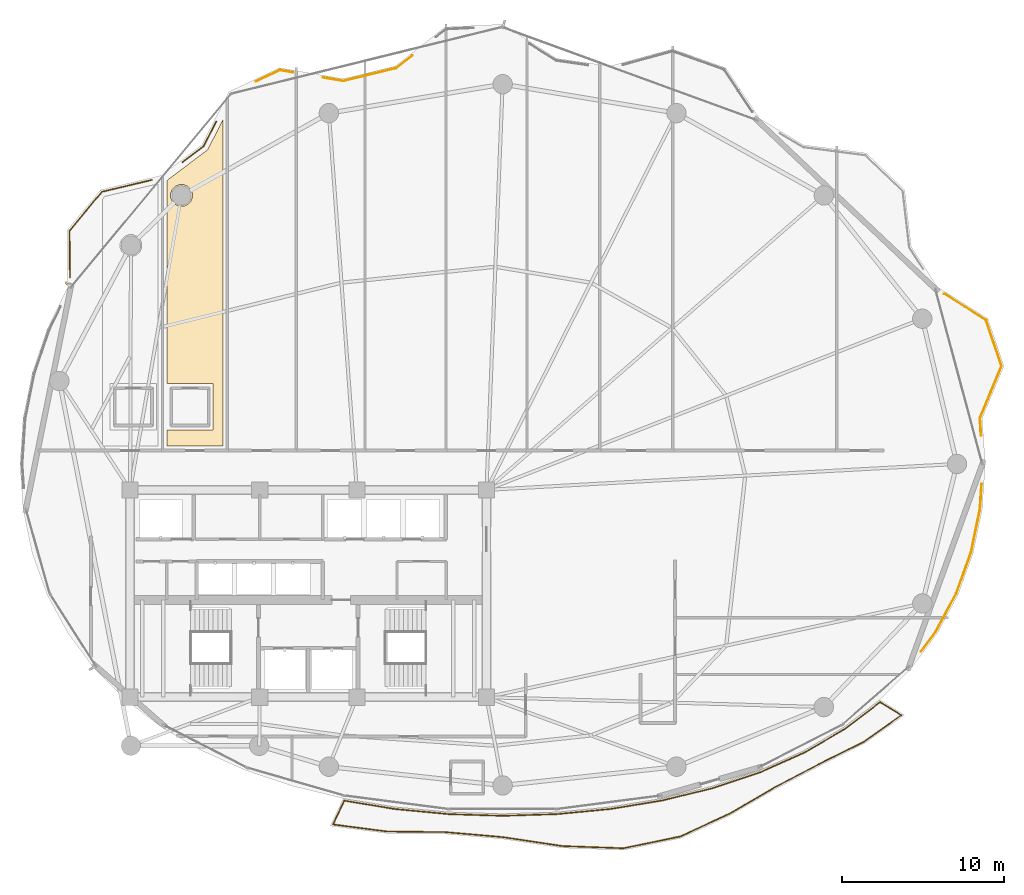
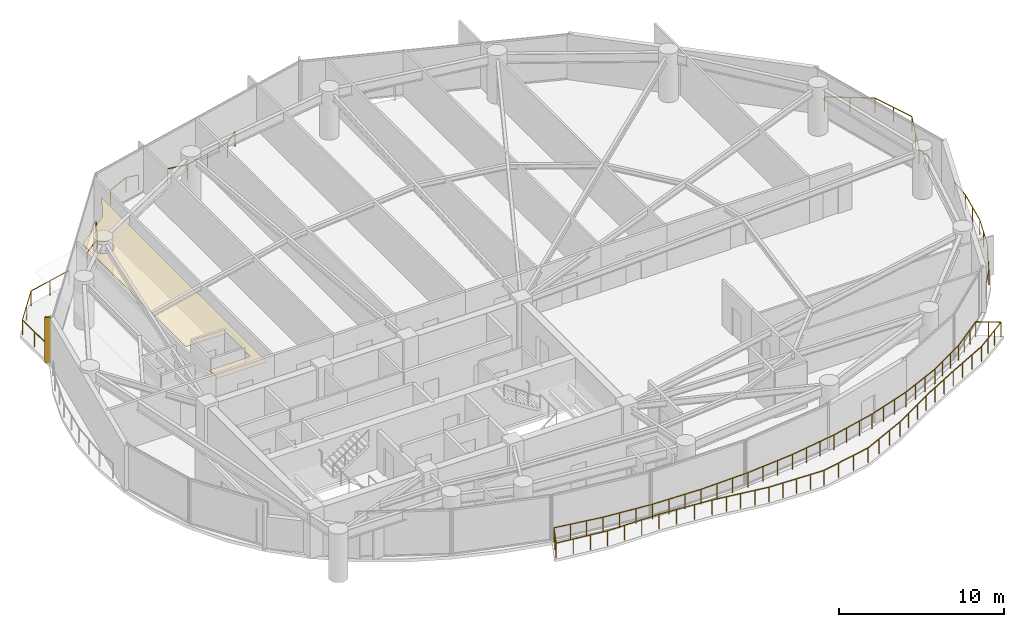
# One storey, part 27 of 28: 7 railings, 1 covering, 1 shading device.
"""IFC4 building model written with IfcOpenShell, lengths in metres."""

from ifc_helpers import new_model, si_unit, direction, frame, origin, origin_2d, place, context, subcontext, project, spatial, polyline, rectangle, outline, extrude, material, layer, layer_set, type_object, element, save


model = new_model("IFC4")

# Units and contexts
model_context = context("Model", 3, precision=1e-05, world=origin(), true_north=direction((0.0, 1.0)))
body_context = subcontext(model_context, "Body", "Model", "MODEL_VIEW")
ifc_project = project(units=[si_unit("LENGTHUNIT", "METRE"), si_unit("AREAUNIT", "SQUARE_METRE"), si_unit("VOLUMEUNIT", "CUBIC_METRE"), si_unit("PLANEANGLEUNIT", "RADIAN"), si_unit("MASSUNIT", "GRAM", prefix="KILO")], contexts=[model_context])

# Site, building, storey
site_placement = place(None, origin())
site = spatial("IfcSite", under=ifc_project, at=site_placement, CompositionType="ELEMENT")
building_placement = place(site_placement, origin())
building = spatial("IfcBuilding", under=site, at=building_placement, Name="Kazevale Care Tower and Concert Hall", CompositionType="ELEMENT")
storey_placement = place(building_placement, frame((0.0, 0.0, 106.199951171875)))
storey = spatial("IfcBuildingStorey", under=building, at=storey_placement, Name="L27", CompositionType="ELEMENT", Elevation=106.199951171875)

# Covering
ifc_material_1 = material(Name="Acoustic Plaster and Hinoki Wood", Category="wood")
ifc_layer = layer(ifc_material_1, 0.0400390625)
ifc_layer_set = layer_set([ifc_layer], Name="Acoustic Plaster and Hinoki Wood")
covering_type = type_object("IfcCoveringType", Name="Acoustic Perforated Wood-Gypsum Ceiling", PredefinedType="CEILING", material=ifc_layer_set)
covering_placement = place(storey_placement, frame((0.0, 0.0, 2.7099609375)))
element("IfcCovering", 1, at=covering_placement, inside=storey, type_object=covering_type, Name="clg:L27:2", PredefinedType="CEILING", context=body_context, shape_type="SweptSolid", body=[
    extrude(outline(polyline([(27.1298828125, 40.094970703125), (27.1298828125, 42.955078125), (24.280029296875, 42.955078125), (24.280029296875, 55.508056640625), (26.781005859375, 57.39892578125), (27.719970703125, 59.22607421875), (27.719970703125, 39.10498046875), (24.280029296875, 39.10498046875), (24.280029296875, 40.094970703125), (27.1298828125, 40.094970703125)]), holes=[polyline([(25.8369140625, 54.712890625), (25.735107421875, 54.9580078125), (25.548095703125, 55.14501953125), (25.302978515625, 55.2470703125), (25.037109375, 55.2470703125), (24.7919921875, 55.14501953125), (24.60498046875, 54.9580078125), (24.5029296875, 54.712890625), (24.5029296875, 54.447021484375), (24.60498046875, 54.201904296875), (24.7919921875, 54.014892578125), (25.037109375, 53.9130859375), (25.302978515625, 53.9130859375), (25.548095703125, 54.014892578125), (25.735107421875, 54.201904296875), (25.8369140625, 54.447021484375), (25.8369140625, 54.712890625)])]), origin(), (0.0, 0.0, 1.0), 0.0400390625),
])

# Railings
ifc_material_2 = material(Name="Anodised Bronze Aluminium and Laminated Glass", Category="aluminium")
railing_type = type_object("IfcRailingType", Name="Balcony and Terrace Balustrade 1120", PredefinedType="BALUSTRADE", material=ifc_material_2)
railing_1_placement = place(storey_placement, frame((18.284912109375, 49.514892578125, 0.0)))
element("IfcRailing", 2, at=railing_1_placement, inside=storey, type_object=railing_type, Name="rail:L27:perim:2", PredefinedType="BALUSTRADE", context=body_context, shape_type="SweptSolid", body=[
    extrude(rectangle(XDim=0.048095703125, YDim=0.048095703125, at=origin_2d()), frame((0.0, 0.0, 1.09619140625), z_axis=(-0.009663022595, 0.999953311907, 0.0), x_axis=(-0.999953311907, -0.009663022595, 0.0)), (0.0, 0.0, 1.0), 2.88037109375),
    extrude(rectangle(XDim=0.048095703125, YDim=0.048095703125, at=origin_2d()), frame((-0.02783203125, 2.880126953125, 1.09619140625), z_axis=(0.638670809668, 0.769480082184, 0.0), x_axis=(-0.769480082184, 0.638670809668, 0.0)), (0.0, 0.0, 1.0), 3.128173828125),
    extrude(rectangle(XDim=0.048095703125, YDim=0.048095703125, at=origin_2d()), frame((1.969970703125, 5.287109375, 1.09619140625), z_axis=(0.972887880692, 0.231277261318, 0.0), x_axis=(-0.231277261318, 0.972887880692, 0.0)), (0.0, 0.0, 1.0), 3.173095703125),
    extrude(rectangle(XDim=0.0419921875, YDim=0.0419921875, at=origin_2d()), origin(), (0.0, 0.0, 1.0), 1.072021484375),
    extrude(rectangle(XDim=0.0419921875, YDim=0.0419921875, at=origin_2d()), frame((-0.013916015625, 1.43994140625, 0.0)), (0.0, 0.0, 1.0), 1.072021484375),
    extrude(rectangle(XDim=0.0419921875, YDim=0.0419921875, at=origin_2d()), frame((-0.02783203125, 2.880126953125, 0.0)), (0.0, 0.0, 1.0), 1.072021484375),
    extrude(rectangle(XDim=0.0419921875, YDim=0.0419921875, at=origin_2d()), frame((0.97119140625, 4.08349609375, 0.0)), (0.0, 0.0, 1.0), 1.072021484375),
    extrude(rectangle(XDim=0.0419921875, YDim=0.0419921875, at=origin_2d()), frame((1.969970703125, 5.287109375, 0.0)), (0.0, 0.0, 1.0), 1.072021484375),
    extrude(rectangle(XDim=0.0419921875, YDim=0.0419921875, at=origin_2d()), frame((3.513671875, 5.654052734375, 0.0)), (0.0, 0.0, 1.0), 1.072021484375),
    extrude(rectangle(XDim=0.0419921875, YDim=0.0419921875, at=origin_2d()), frame((5.05712890625, 6.02099609375, 0.0)), (0.0, 0.0, 1.0), 1.072021484375),
])
railing_2_placement = place(storey_placement, frame((25.239013671875, 56.634033203125, 0.0)))
element("IfcRailing", 3, at=railing_2_placement, inside=storey, type_object=railing_type, Name="rail:L27:perim:3", PredefinedType="BALUSTRADE", context=body_context, shape_type="SweptSolid", body=[
    extrude(rectangle(XDim=0.048095703125, YDim=0.048095703125, at=origin_2d()), frame((0.0, 0.0, 1.09619140625), z_axis=(0.797677030582, 0.603084865406, 0.0), x_axis=(-0.603084865406, 0.797677030582, 0.0)), (0.0, 0.0, 1.0), 1.618408203125),
    extrude(rectangle(XDim=0.048095703125, YDim=0.048095703125, at=origin_2d()), frame((1.291015625, 0.97607421875, 1.09619140625), z_axis=(0.456653164706, 0.889644809553, 0.0), x_axis=(-0.889644809553, 0.456653164706, 0.0)), (0.0, 0.0, 1.0), 1.72314453125),
    extrude(rectangle(XDim=0.0419921875, YDim=0.0419921875, at=origin_2d()), origin(), (0.0, 0.0, 1.0), 1.072021484375),
    extrude(rectangle(XDim=0.0419921875, YDim=0.0419921875, at=origin_2d()), frame((1.291015625, 0.97607421875, 0.0)), (0.0, 0.0, 1.0), 1.072021484375),
    extrude(rectangle(XDim=0.0419921875, YDim=0.0419921875, at=origin_2d()), frame((2.077880859375, 2.509033203125, 0.0)), (0.0, 0.0, 1.0), 1.072021484375),
])
railing_3_placement = place(storey_placement, frame((29.77392578125, 61.62109375, 0.0)))
element("IfcRailing", 4, at=railing_3_placement, inside=storey, type_object=railing_type, Name="rail:L27:perim:4", PredefinedType="BALUSTRADE", context=body_context, shape_type="SweptSolid", body=[
    extrude(rectangle(XDim=0.048095703125, YDim=0.048095703125, at=origin_2d()), frame((0.0, 0.0, 1.09619140625), z_axis=(0.904089143641, 0.427343913436, 0.0), x_axis=(-0.427343913436, 0.904089143641, 0.0)), (0.0, 0.0, 1.0), 1.6259765625),
    extrude(rectangle(XDim=0.048095703125, YDim=0.048095703125, at=origin_2d()), frame((1.469970703125, 0.69482421875, 1.09619140625), z_axis=(0.985522864431, -0.169542571894, 0.0), x_axis=(0.169542571894, 0.985522864431, 0.0)), (0.0, 0.0, 1.0), 0.807861328125),
    extrude(rectangle(XDim=0.0419921875, YDim=0.0419921875, at=origin_2d()), origin(), (0.0, 0.0, 1.0), 1.072021484375),
    extrude(rectangle(XDim=0.0419921875, YDim=0.0419921875, at=origin_2d()), frame((1.469970703125, 0.69482421875, 0.0)), (0.0, 0.0, 1.0), 1.072021484375),
    extrude(rectangle(XDim=0.0419921875, YDim=0.0419921875, at=origin_2d()), frame((2.26611328125, 0.557861328125, 0.0)), (0.0, 0.0, 1.0), 1.072021484375),
])
railing_4_placement = place(storey_placement, frame((33.9130859375, 61.85791015625, 0.0)))
element("IfcRailing", 5, at=railing_4_placement, inside=storey, type_object=railing_type, Name="rail:L27:perim:5", PredefinedType="BALUSTRADE", context=body_context, shape_type="SweptSolid", body=[
    extrude(rectangle(XDim=0.048095703125, YDim=0.048095703125, at=origin_2d()), frame((0.0, 0.0, 1.09619140625), z_axis=(0.98554889076, -0.169391215599, 0.0), x_axis=(0.169391215599, 0.98554889076, 0.0)), (0.0, 0.0, 1.0), 1.268310546875),
    extrude(rectangle(XDim=0.048095703125, YDim=0.048095703125, at=origin_2d()), frame((1.25, -0.21484375, 1.09619140625), z_axis=(0.971597725557, 0.236638669056, 0.0), x_axis=(-0.236638669056, 0.971597725557, 0.0)), (0.0, 0.0, 1.0), 3.36328125),
    extrude(rectangle(XDim=0.048095703125, YDim=0.048095703125, at=origin_2d()), frame((4.517822265625, 0.5810546875, 1.09619140625), z_axis=(0.787242218243, 0.616643892224, 0.0), x_axis=(-0.616643892224, 0.787242218243, 0.0)), (0.0, 0.0, 1.0), 1.255126953125),
    extrude(rectangle(XDim=0.0419921875, YDim=0.0419921875, at=origin_2d()), origin(), (0.0, 0.0, 1.0), 1.072021484375),
    extrude(rectangle(XDim=0.0419921875, YDim=0.0419921875, at=origin_2d()), frame((1.25, -0.21484375, 0.0)), (0.0, 0.0, 1.0), 1.072021484375),
    extrude(rectangle(XDim=0.0419921875, YDim=0.0419921875, at=origin_2d()), frame((2.8837890625, 0.18310546875, 0.0)), (0.0, 0.0, 1.0), 1.072021484375),
    extrude(rectangle(XDim=0.0419921875, YDim=0.0419921875, at=origin_2d()), frame((4.517822265625, 0.5810546875, 0.0)), (0.0, 0.0, 1.0), 1.072021484375),
    extrude(rectangle(XDim=0.0419921875, YDim=0.0419921875, at=origin_2d()), frame((5.505859375, 1.35498046875, 0.0)), (0.0, 0.0, 1.0), 1.072021484375),
])
railing_5_placement = place(storey_placement, frame((74.576904296875, 36.76611328125, 0.0)))
element("IfcRailing", 6, at=railing_5_placement, inside=storey, type_object=railing_type, Name="rail:L27:perim:10", PredefinedType="BALUSTRADE", context=body_context, shape_type="SweptSolid", body=[
    extrude(rectangle(XDim=0.048095703125, YDim=0.048095703125, at=origin_2d()), frame((0.0, 0.0, 1.09619140625), z_axis=(-0.066164353261, -0.997808738365, 0.0), x_axis=(0.997808738365, -0.066164353261, 0.0)), (0.0, 0.0, 1.0), 1.553466796875),
    extrude(rectangle(XDim=0.048095703125, YDim=0.048095703125, at=origin_2d()), frame((-0.102783203125, -1.550048828125, 1.09619140625), z_axis=(-0.202611486218, -0.979259202485, 0.0), x_axis=(0.979259202485, -0.202611486218, 0.0)), (0.0, 0.0, 1.0), 2.744873046875),
    extrude(rectangle(XDim=0.048095703125, YDim=0.048095703125, at=origin_2d()), frame((-0.658935546875, -4.238037109375, 1.09619140625), z_axis=(-0.339653342944, -0.940550693279, 0.0), x_axis=(0.940550693279, -0.339653342944, 0.0)), (0.0, 0.0, 1.0), 2.70263671875),
    extrude(rectangle(XDim=0.048095703125, YDim=0.048095703125, at=origin_2d()), frame((-1.576904296875, -6.780029296875, 1.09619140625), z_axis=(-0.473735648305, -0.880667096879, 0.0), x_axis=(0.880667096879, -0.473735648305, 0.0)), (0.0, 0.0, 1.0), 2.6787109375),
    extrude(rectangle(XDim=0.048095703125, YDim=0.048095703125, at=origin_2d()), frame((-2.845947265625, -9.13916015625, 1.09619140625), z_axis=(-0.597990687273, -0.801503049236, 0.0), x_axis=(0.801503049236, -0.597990687273, 0.0)), (0.0, 0.0, 1.0), 1.498291015625),
    extrude(rectangle(XDim=0.0419921875, YDim=0.0419921875, at=origin_2d()), origin(), (0.0, 0.0, 1.0), 1.072021484375),
    extrude(rectangle(XDim=0.0419921875, YDim=0.0419921875, at=origin_2d()), frame((-0.102783203125, -1.550048828125, 0.0)), (0.0, 0.0, 1.0), 1.072021484375),
    extrude(rectangle(XDim=0.0419921875, YDim=0.0419921875, at=origin_2d()), frame((-0.380859375, -2.89404296875, 0.0)), (0.0, 0.0, 1.0), 1.072021484375),
    extrude(rectangle(XDim=0.0419921875, YDim=0.0419921875, at=origin_2d()), frame((-0.658935546875, -4.238037109375, 0.0)), (0.0, 0.0, 1.0), 1.072021484375),
    extrude(rectangle(XDim=0.0419921875, YDim=0.0419921875, at=origin_2d()), frame((-1.117919921875, -5.509033203125, 0.0)), (0.0, 0.0, 1.0), 1.072021484375),
    extrude(rectangle(XDim=0.0419921875, YDim=0.0419921875, at=origin_2d()), frame((-1.576904296875, -6.780029296875, 0.0)), (0.0, 0.0, 1.0), 1.072021484375),
    extrude(rectangle(XDim=0.0419921875, YDim=0.0419921875, at=origin_2d()), frame((-2.21142578125, -7.95947265625, 0.0)), (0.0, 0.0, 1.0), 1.072021484375),
    extrude(rectangle(XDim=0.0419921875, YDim=0.0419921875, at=origin_2d()), frame((-2.845947265625, -9.13916015625, 0.0)), (0.0, 0.0, 1.0), 1.072021484375),
    extrude(rectangle(XDim=0.0419921875, YDim=0.0419921875, at=origin_2d()), frame((-3.741943359375, -10.340087890625, 0.0)), (0.0, 0.0, 1.0), 1.072021484375),
])
railing_6_placement = place(storey_placement, frame((72.26904296875, 48.50390625, 0.0)))
element("IfcRailing", 7, at=railing_6_placement, inside=storey, type_object=railing_type, Name="rail:L27:perim:11", PredefinedType="BALUSTRADE", context=body_context, shape_type="SweptSolid", body=[
    extrude(rectangle(XDim=0.048095703125, YDim=0.048095703125, at=origin_2d()), frame((0.0, 0.0, 1.09619140625), z_axis=(0.845853460202, -0.533415338985, 0.0), x_axis=(0.533415338985, 0.845853460202, 0.0)), (0.0, 0.0, 1.0), 3.0537109375),
    extrude(rectangle(XDim=0.048095703125, YDim=0.048095703125, at=origin_2d()), frame((2.5830078125, -1.62890625, 1.09619140625), z_axis=(0.319318641442, -0.94764740554, 0.0), x_axis=(0.94764740554, 0.319318641442, 0.0)), (0.0, 0.0, 1.0), 2.984130859375),
    extrude(rectangle(XDim=0.048095703125, YDim=0.048095703125, at=origin_2d()), frame((3.535888671875, -4.456787109375, 1.09619140625), z_axis=(-0.384555415187, -0.923101908052, 0.0), x_axis=(0.923101908052, -0.384555415187, 0.0)), (0.0, 0.0, 1.0), 3.468994140625),
    extrude(rectangle(XDim=0.048095703125, YDim=0.048095703125, at=origin_2d()), frame((2.201904296875, -7.658935546875, 1.09619140625), z_axis=(0.06569131841, -0.997839992527, 0.0), x_axis=(0.997839992527, 0.06569131841, 0.0)), (0.0, 0.0, 1.0), 1.096435546875),
    extrude(rectangle(XDim=0.0419921875, YDim=0.0419921875, at=origin_2d()), origin(), (0.0, 0.0, 1.0), 1.072021484375),
    extrude(rectangle(XDim=0.0419921875, YDim=0.0419921875, at=origin_2d()), frame((1.29150390625, -0.814453125, 0.0)), (0.0, 0.0, 1.0), 1.072021484375),
    extrude(rectangle(XDim=0.0419921875, YDim=0.0419921875, at=origin_2d()), frame((2.5830078125, -1.62890625, 0.0)), (0.0, 0.0, 1.0), 1.072021484375),
    extrude(rectangle(XDim=0.0419921875, YDim=0.0419921875, at=origin_2d()), frame((3.0595703125, -3.04296875, 0.0)), (0.0, 0.0, 1.0), 1.072021484375),
    extrude(rectangle(XDim=0.0419921875, YDim=0.0419921875, at=origin_2d()), frame((3.535888671875, -4.456787109375, 0.0)), (0.0, 0.0, 1.0), 1.072021484375),
    extrude(rectangle(XDim=0.0419921875, YDim=0.0419921875, at=origin_2d()), frame((2.868896484375, -6.057861328125, 0.0)), (0.0, 0.0, 1.0), 1.072021484375),
    extrude(rectangle(XDim=0.0419921875, YDim=0.0419921875, at=origin_2d()), frame((2.201904296875, -7.658935546875, 0.0)), (0.0, 0.0, 1.0), 1.072021484375),
    extrude(rectangle(XDim=0.0419921875, YDim=0.0419921875, at=origin_2d()), frame((2.27392578125, -8.7529296875, 0.0)), (0.0, 0.0, 1.0), 1.072021484375),
])
railing_7_placement = place(storey_placement, frame((35.22509765625, 17.2099609375, 0.0)))
element("IfcRailing", 8, at=railing_7_placement, inside=storey, type_object=railing_type, Name="rail:L27:balcony", PredefinedType="BALUSTRADE", context=body_context, shape_type="SweptSolid", body=[
    extrude(rectangle(XDim=0.048095703125, YDim=0.048095703125, at=origin_2d()), frame((0.0, 0.0, 1.09619140625), z_axis=(0.986720826515, -0.162425399869, 0.0), x_axis=(0.162425399869, 0.986720826515, 0.0)), (0.0, 0.0, 1.0), 3.169921875),
    extrude(rectangle(XDim=0.048095703125, YDim=0.048095703125, at=origin_2d()), frame((3.1279296875, -0.514892578125, 1.09619140625), z_axis=(0.995477928413, -0.09499312629, 0.0), x_axis=(0.09499312629, 0.995477928413, 0.0)), (0.0, 0.0, 1.0), 3.31787109375),
    extrude(rectangle(XDim=0.048095703125, YDim=0.048095703125, at=origin_2d()), frame((6.430908203125, -0.830078125, 1.09619140625), z_axis=(0.999507580629, -0.031378276971, 0.0), x_axis=(0.031378276971, 0.999507580629, 0.0)), (0.0, 0.0, 1.0), 3.345703125),
    extrude(rectangle(XDim=0.048095703125, YDim=0.048095703125, at=origin_2d()), frame((9.77490234375, -0.93505859375, 1.09619140625), z_axis=(0.999507580629, 0.031378276971, 0.0), x_axis=(-0.031378276971, 0.999507580629, 0.0)), (0.0, 0.0, 1.0), 3.345703125),
    extrude(rectangle(XDim=0.048095703125, YDim=0.048095703125, at=origin_2d()), frame((13.118896484375, -0.830078125, 1.09619140625), z_axis=(0.995477928413, 0.09499312629, 0.0), x_axis=(-0.09499312629, 0.995477928413, 0.0)), (0.0, 0.0, 1.0), 3.31787109375),
    extrude(rectangle(XDim=0.048095703125, YDim=0.048095703125, at=origin_2d()), frame((16.421875, -0.514892578125, 1.09619140625), z_axis=(0.986673526711, 0.162712481659, 0.0), x_axis=(-0.162712481659, 0.986673526711, 0.0)), (0.0, 0.0, 1.0), 3.263427734375),
    extrude(rectangle(XDim=0.048095703125, YDim=0.048095703125, at=origin_2d()), frame((19.641845703125, 0.01611328125, 1.09619140625), z_axis=(0.971769261323, 0.235933259095, 0.0), x_axis=(-0.235933259095, 0.971769261323, 0.0)), (0.0, 0.0, 1.0), 3.187255859375),
    extrude(rectangle(XDim=0.048095703125, YDim=0.048095703125, at=origin_2d()), frame((22.739013671875, 0.76806640625, 1.09619140625), z_axis=(0.948264523365, 0.317481328155, 0.0), x_axis=(-0.317481328155, 0.948264523365, 0.0)), (0.0, 0.0, 1.0), 3.095947265625),
    extrude(rectangle(XDim=0.048095703125, YDim=0.048095703125, at=origin_2d()), frame((25.6748046875, 1.7509765625, 1.09619140625), z_axis=(0.913377633239, 0.407113373766, 0.0), x_axis=(-0.407113373766, 0.913377633239, 0.0)), (0.0, 0.0, 1.0), 2.99658203125),
    extrude(rectangle(XDim=0.048095703125, YDim=0.048095703125, at=origin_2d()), frame((28.411865234375, 2.970947265625, 1.09619140625), z_axis=(0.863507127078, 0.504336635082, 0.0), x_axis=(-0.504336635082, 0.863507127078, 0.0)), (0.0, 0.0, 1.0), 2.901123046875),
    extrude(rectangle(XDim=0.048095703125, YDim=0.048095703125, at=origin_2d()), frame((30.9169921875, 4.43408203125, 1.09619140625), z_axis=(0.795030778338, 0.606569090455, 0.0), x_axis=(-0.606569090455, 0.795030778338, 0.0)), (0.0, 0.0, 1.0), 2.726806640625),
    extrude(rectangle(XDim=0.048095703125, YDim=0.048095703125, at=origin_2d()), frame((33.0849609375, 6.088134765625, 1.09619140625), z_axis=(0.848213207605, -0.529654939035, 0.0), x_axis=(0.529654939035, 0.848213207605, 0.0)), (0.0, 0.0, 1.0), 1.53125),
    extrude(rectangle(XDim=0.048095703125, YDim=0.048095703125, at=origin_2d()), frame((34.3837890625, 5.277099609375, 1.09619140625), z_axis=(-0.815795156165, -0.578340957548, 0.0), x_axis=(0.578340957548, -0.815795156165, 0.0)), (0.0, 0.0, 1.0), 2.825439453125),
    extrude(rectangle(XDim=0.048095703125, YDim=0.048095703125, at=origin_2d()), frame((32.078857421875, 3.64306640625, 1.09619140625), z_axis=(-0.894176668832, -0.447714289382, 0.0), x_axis=(0.447714289382, -0.894176668832, 0.0)), (0.0, 0.0, 1.0), 3.1201171875),
    extrude(rectangle(XDim=0.048095703125, YDim=0.048095703125, at=origin_2d()), frame((29.288818359375, 2.24609375, 1.09619140625), z_axis=(-0.885731179391, -0.464198532802, 0.0), x_axis=(0.464198532802, -0.885731179391, 0.0)), (0.0, 0.0, 1.0), 3.095703125),
    extrude(rectangle(XDim=0.048095703125, YDim=0.048095703125, at=origin_2d()), frame((26.546875, 0.80908203125, 1.09619140625), z_axis=(-0.863893385212, -0.503674715453, 0.0), x_axis=(0.503674715453, -0.863893385212, 0.0)), (0.0, 0.0, 1.0), 3.170654296875),
    extrude(rectangle(XDim=0.048095703125, YDim=0.048095703125, at=origin_2d()), frame((23.807861328125, -0.787841796875, 1.09619140625), z_axis=(-0.906966461078, -0.421202847188, 0.0), x_axis=(0.421202847188, -0.906966461078, 0.0)), (0.0, 0.0, 1.0), 3.369384765625),
    extrude(rectangle(XDim=0.048095703125, YDim=0.048095703125, at=origin_2d()), frame((20.751953125, -2.20703125, 1.09619140625), z_axis=(-0.979177656595, -0.203005213786, 0.0), x_axis=(0.203005213786, -0.979177656595, 0.0)), (0.0, 0.0, 1.0), 3.595947265625),
    extrude(rectangle(XDim=0.048095703125, YDim=0.048095703125, at=origin_2d()), frame((17.23095703125, -2.93701171875, 1.09619140625), z_axis=(-0.999357393068, 0.035844119754, 0.0), x_axis=(-0.035844119754, -0.999357393068, 0.0)), (0.0, 0.0, 1.0), 3.7666015625),
    extrude(rectangle(XDim=0.048095703125, YDim=0.048095703125, at=origin_2d()), frame((13.466796875, -2.802001953125, 1.09619140625), z_axis=(-0.988885740424, 0.148677477734, 0.0), x_axis=(-0.148677477734, -0.988885740424, 0.0)), (0.0, 0.0, 1.0), 3.71923828125),
    extrude(rectangle(XDim=0.048095703125, YDim=0.048095703125, at=origin_2d()), frame((9.788818359375, -2.2490234375, 1.09619140625), z_axis=(-0.996241615045, 0.086617806788, 0.0), x_axis=(-0.086617806788, -0.996241615045, 0.0)), (0.0, 0.0, 1.0), 3.568359375),
    extrude(rectangle(XDim=0.048095703125, YDim=0.048095703125, at=origin_2d()), frame((6.23388671875, -1.93994140625, 1.09619140625), z_axis=(-0.99994733924, 0.010262492233, 0.0), x_axis=(-0.010262492233, -0.99994733924, 0.0)), (0.0, 0.0, 1.0), 3.59228515625),
    extrude(rectangle(XDim=0.048095703125, YDim=0.048095703125, at=origin_2d()), frame((2.641845703125, -1.903076171875, 1.09619140625), z_axis=(-0.991591115654, 0.129410429855, 0.0), x_axis=(-0.129410429855, -0.991591115654, 0.0)), (0.0, 0.0, 1.0), 3.369384765625),
    extrude(rectangle(XDim=0.048095703125, YDim=0.048095703125, at=origin_2d()), frame((-0.69921875, -1.467041015625, 1.09619140625), z_axis=(0.430248446577, 0.902710515181, 0.0), x_axis=(-0.902710515181, 0.430248446577, 0.0)), (0.0, 0.0, 1.0), 1.625244140625),
    extrude(rectangle(XDim=0.0419921875, YDim=0.0419921875, at=origin_2d()), origin(), (0.0, 0.0, 1.0), 1.072021484375),
    extrude(rectangle(XDim=0.0419921875, YDim=0.0419921875, at=origin_2d()), frame((1.042724609375, -0.171630859375, 0.0)), (0.0, 0.0, 1.0), 1.072021484375),
    extrude(rectangle(XDim=0.0419921875, YDim=0.0419921875, at=origin_2d()), frame((2.085205078125, -0.34326171875, 0.0)), (0.0, 0.0, 1.0), 1.072021484375),
    extrude(rectangle(XDim=0.0419921875, YDim=0.0419921875, at=origin_2d()), frame((3.1279296875, -0.514892578125, 0.0)), (0.0, 0.0, 1.0), 1.072021484375),
    extrude(rectangle(XDim=0.0419921875, YDim=0.0419921875, at=origin_2d()), frame((4.22900390625, -0.619873046875, 0.0)), (0.0, 0.0, 1.0), 1.072021484375),
    extrude(rectangle(XDim=0.0419921875, YDim=0.0419921875, at=origin_2d()), frame((5.329833984375, -0.72509765625, 0.0)), (0.0, 0.0, 1.0), 1.072021484375),
    extrude(rectangle(XDim=0.0419921875, YDim=0.0419921875, at=origin_2d()), frame((6.430908203125, -0.830078125, 0.0)), (0.0, 0.0, 1.0), 1.072021484375),
    extrude(rectangle(XDim=0.0419921875, YDim=0.0419921875, at=origin_2d()), frame((7.545654296875, -0.864990234375, 0.0)), (0.0, 0.0, 1.0), 1.072021484375),
    extrude(rectangle(XDim=0.0419921875, YDim=0.0419921875, at=origin_2d()), frame((8.66015625, -0.900146484375, 0.0)), (0.0, 0.0, 1.0), 1.072021484375),
    extrude(rectangle(XDim=0.0419921875, YDim=0.0419921875, at=origin_2d()), frame((9.77490234375, -0.93505859375, 0.0)), (0.0, 0.0, 1.0), 1.072021484375),
    extrude(rectangle(XDim=0.0419921875, YDim=0.0419921875, at=origin_2d()), frame((10.8896484375, -0.900146484375, 0.0)), (0.0, 0.0, 1.0), 1.072021484375),
    extrude(rectangle(XDim=0.0419921875, YDim=0.0419921875, at=origin_2d()), frame((12.004150390625, -0.864990234375, 0.0)), (0.0, 0.0, 1.0), 1.072021484375),
    extrude(rectangle(XDim=0.0419921875, YDim=0.0419921875, at=origin_2d()), frame((13.118896484375, -0.830078125, 0.0)), (0.0, 0.0, 1.0), 1.072021484375),
    extrude(rectangle(XDim=0.0419921875, YDim=0.0419921875, at=origin_2d()), frame((14.219970703125, -0.72509765625, 0.0)), (0.0, 0.0, 1.0), 1.072021484375),
    extrude(rectangle(XDim=0.0419921875, YDim=0.0419921875, at=origin_2d()), frame((15.32080078125, -0.619873046875, 0.0)), (0.0, 0.0, 1.0), 1.072021484375),
    extrude(rectangle(XDim=0.0419921875, YDim=0.0419921875, at=origin_2d()), frame((16.421875, -0.514892578125, 0.0)), (0.0, 0.0, 1.0), 1.072021484375),
    extrude(rectangle(XDim=0.0419921875, YDim=0.0419921875, at=origin_2d()), frame((17.4951171875, -0.337890625, 0.0)), (0.0, 0.0, 1.0), 1.072021484375),
    extrude(rectangle(XDim=0.0419921875, YDim=0.0419921875, at=origin_2d()), frame((18.568603515625, -0.160888671875, 0.0)), (0.0, 0.0, 1.0), 1.072021484375),
    extrude(rectangle(XDim=0.0419921875, YDim=0.0419921875, at=origin_2d()), frame((19.641845703125, 0.01611328125, 0.0)), (0.0, 0.0, 1.0), 1.072021484375),
    extrude(rectangle(XDim=0.0419921875, YDim=0.0419921875, at=origin_2d()), frame((20.67431640625, 0.266845703125, 0.0)), (0.0, 0.0, 1.0), 1.072021484375),
    extrude(rectangle(XDim=0.0419921875, YDim=0.0419921875, at=origin_2d()), frame((21.70654296875, 0.517333984375, 0.0)), (0.0, 0.0, 1.0), 1.072021484375),
    extrude(rectangle(XDim=0.0419921875, YDim=0.0419921875, at=origin_2d()), frame((22.739013671875, 0.76806640625, 0.0)), (0.0, 0.0, 1.0), 1.072021484375),
    extrude(rectangle(XDim=0.0419921875, YDim=0.0419921875, at=origin_2d()), frame((23.717529296875, 1.095703125, 0.0)), (0.0, 0.0, 1.0), 1.072021484375),
    extrude(rectangle(XDim=0.0419921875, YDim=0.0419921875, at=origin_2d()), frame((24.6962890625, 1.42333984375, 0.0)), (0.0, 0.0, 1.0), 1.072021484375),
    extrude(rectangle(XDim=0.0419921875, YDim=0.0419921875, at=origin_2d()), frame((25.6748046875, 1.7509765625, 0.0)), (0.0, 0.0, 1.0), 1.072021484375),
    extrude(rectangle(XDim=0.0419921875, YDim=0.0419921875, at=origin_2d()), frame((26.587158203125, 2.15771484375, 0.0)), (0.0, 0.0, 1.0), 1.072021484375),
    extrude(rectangle(XDim=0.0419921875, YDim=0.0419921875, at=origin_2d()), frame((27.49951171875, 2.564208984375, 0.0)), (0.0, 0.0, 1.0), 1.072021484375),
    extrude(rectangle(XDim=0.0419921875, YDim=0.0419921875, at=origin_2d()), frame((28.411865234375, 2.970947265625, 0.0)), (0.0, 0.0, 1.0), 1.072021484375),
    extrude(rectangle(XDim=0.0419921875, YDim=0.0419921875, at=origin_2d()), frame((29.246826171875, 3.458740234375, 0.0)), (0.0, 0.0, 1.0), 1.072021484375),
    extrude(rectangle(XDim=0.0419921875, YDim=0.0419921875, at=origin_2d()), frame((30.08203125, 3.9462890625, 0.0)), (0.0, 0.0, 1.0), 1.072021484375),
    extrude(rectangle(XDim=0.0419921875, YDim=0.0419921875, at=origin_2d()), frame((30.9169921875, 4.43408203125, 0.0)), (0.0, 0.0, 1.0), 1.072021484375),
    extrude(rectangle(XDim=0.0419921875, YDim=0.0419921875, at=origin_2d()), frame((31.6396484375, 4.9853515625, 0.0)), (0.0, 0.0, 1.0), 1.072021484375),
    extrude(rectangle(XDim=0.0419921875, YDim=0.0419921875, at=origin_2d()), frame((32.3623046875, 5.536865234375, 0.0)), (0.0, 0.0, 1.0), 1.072021484375),
    extrude(rectangle(XDim=0.0419921875, YDim=0.0419921875, at=origin_2d()), frame((33.0849609375, 6.088134765625, 0.0)), (0.0, 0.0, 1.0), 1.072021484375),
    extrude(rectangle(XDim=0.0419921875, YDim=0.0419921875, at=origin_2d()), frame((33.734375, 5.6826171875, 0.0)), (0.0, 0.0, 1.0), 1.072021484375),
    extrude(rectangle(XDim=0.0419921875, YDim=0.0419921875, at=origin_2d()), frame((34.3837890625, 5.277099609375, 0.0)), (0.0, 0.0, 1.0), 1.072021484375),
    extrude(rectangle(XDim=0.0419921875, YDim=0.0419921875, at=origin_2d()), frame((33.615478515625, 4.732421875, 0.0)), (0.0, 0.0, 1.0), 1.072021484375),
    extrude(rectangle(XDim=0.0419921875, YDim=0.0419921875, at=origin_2d()), frame((32.84716796875, 4.187744140625, 0.0)), (0.0, 0.0, 1.0), 1.072021484375),
    extrude(rectangle(XDim=0.0419921875, YDim=0.0419921875, at=origin_2d()), frame((32.078857421875, 3.64306640625, 0.0)), (0.0, 0.0, 1.0), 1.072021484375),
    extrude(rectangle(XDim=0.0419921875, YDim=0.0419921875, at=origin_2d()), frame((31.14892578125, 3.177490234375, 0.0)), (0.0, 0.0, 1.0), 1.072021484375),
    extrude(rectangle(XDim=0.0419921875, YDim=0.0419921875, at=origin_2d()), frame((30.21875, 2.711669921875, 0.0)), (0.0, 0.0, 1.0), 1.072021484375),
    extrude(rectangle(XDim=0.0419921875, YDim=0.0419921875, at=origin_2d()), frame((29.288818359375, 2.24609375, 0.0)), (0.0, 0.0, 1.0), 1.072021484375),
    extrude(rectangle(XDim=0.0419921875, YDim=0.0419921875, at=origin_2d()), frame((28.374755859375, 1.76708984375, 0.0)), (0.0, 0.0, 1.0), 1.072021484375),
    extrude(rectangle(XDim=0.0419921875, YDim=0.0419921875, at=origin_2d()), frame((27.4609375, 1.2880859375, 0.0)), (0.0, 0.0, 1.0), 1.072021484375),
    extrude(rectangle(XDim=0.0419921875, YDim=0.0419921875, at=origin_2d()), frame((26.546875, 0.80908203125, 0.0)), (0.0, 0.0, 1.0), 1.072021484375),
    extrude(rectangle(XDim=0.0419921875, YDim=0.0419921875, at=origin_2d()), frame((25.6337890625, 0.27685546875, 0.0)), (0.0, 0.0, 1.0), 1.072021484375),
    extrude(rectangle(XDim=0.0419921875, YDim=0.0419921875, at=origin_2d()), frame((24.720947265625, -0.255615234375, 0.0)), (0.0, 0.0, 1.0), 1.072021484375),
    extrude(rectangle(XDim=0.0419921875, YDim=0.0419921875, at=origin_2d()), frame((23.807861328125, -0.787841796875, 0.0)), (0.0, 0.0, 1.0), 1.072021484375),
    extrude(rectangle(XDim=0.0419921875, YDim=0.0419921875, at=origin_2d()), frame((22.789306640625, -1.260986328125, 0.0)), (0.0, 0.0, 1.0), 1.072021484375),
    extrude(rectangle(XDim=0.0419921875, YDim=0.0419921875, at=origin_2d()), frame((21.7705078125, -1.73388671875, 0.0)), (0.0, 0.0, 1.0), 1.072021484375),
    extrude(rectangle(XDim=0.0419921875, YDim=0.0419921875, at=origin_2d()), frame((20.751953125, -2.20703125, 0.0)), (0.0, 0.0, 1.0), 1.072021484375),
    extrude(rectangle(XDim=0.0419921875, YDim=0.0419921875, at=origin_2d()), frame((19.578369140625, -2.450439453125, 0.0)), (0.0, 0.0, 1.0), 1.072021484375),
    extrude(rectangle(XDim=0.0419921875, YDim=0.0419921875, at=origin_2d()), frame((18.404541015625, -2.693603515625, 0.0)), (0.0, 0.0, 1.0), 1.072021484375),
    extrude(rectangle(XDim=0.0419921875, YDim=0.0419921875, at=origin_2d()), frame((17.23095703125, -2.93701171875, 0.0)), (0.0, 0.0, 1.0), 1.072021484375),
    extrude(rectangle(XDim=0.0419921875, YDim=0.0419921875, at=origin_2d()), frame((16.2900390625, -2.9033203125, 0.0)), (0.0, 0.0, 1.0), 1.072021484375),
    extrude(rectangle(XDim=0.0419921875, YDim=0.0419921875, at=origin_2d()), frame((15.348876953125, -2.86962890625, 0.0)), (0.0, 0.0, 1.0), 1.072021484375),
    extrude(rectangle(XDim=0.0419921875, YDim=0.0419921875, at=origin_2d()), frame((14.40771484375, -2.835693359375, 0.0)), (0.0, 0.0, 1.0), 1.072021484375),
    extrude(rectangle(XDim=0.0419921875, YDim=0.0419921875, at=origin_2d()), frame((13.466796875, -2.802001953125, 0.0)), (0.0, 0.0, 1.0), 1.072021484375),
    extrude(rectangle(XDim=0.0419921875, YDim=0.0419921875, at=origin_2d()), frame((12.54736328125, -2.663818359375, 0.0)), (0.0, 0.0, 1.0), 1.072021484375),
    extrude(rectangle(XDim=0.0419921875, YDim=0.0419921875, at=origin_2d()), frame((11.6279296875, -2.525390625, 0.0)), (0.0, 0.0, 1.0), 1.072021484375),
    extrude(rectangle(XDim=0.0419921875, YDim=0.0419921875, at=origin_2d()), frame((10.708251953125, -2.38720703125, 0.0)), (0.0, 0.0, 1.0), 1.072021484375),
    extrude(rectangle(XDim=0.0419921875, YDim=0.0419921875, at=origin_2d()), frame((9.788818359375, -2.2490234375, 0.0)), (0.0, 0.0, 1.0), 1.072021484375),
    extrude(rectangle(XDim=0.0419921875, YDim=0.0419921875, at=origin_2d()), frame((8.603759765625, -2.14599609375, 0.0)), (0.0, 0.0, 1.0), 1.072021484375),
    extrude(rectangle(XDim=0.0419921875, YDim=0.0419921875, at=origin_2d()), frame((7.4189453125, -2.04296875, 0.0)), (0.0, 0.0, 1.0), 1.072021484375),
    extrude(rectangle(XDim=0.0419921875, YDim=0.0419921875, at=origin_2d()), frame((6.23388671875, -1.93994140625, 0.0)), (0.0, 0.0, 1.0), 1.072021484375),
    extrude(rectangle(XDim=0.0419921875, YDim=0.0419921875, at=origin_2d()), frame((5.03662109375, -1.927734375, 0.0)), (0.0, 0.0, 1.0), 1.072021484375),
    extrude(rectangle(XDim=0.0419921875, YDim=0.0419921875, at=origin_2d()), frame((3.839111328125, -1.915283203125, 0.0)), (0.0, 0.0, 1.0), 1.072021484375),
    extrude(rectangle(XDim=0.0419921875, YDim=0.0419921875, at=origin_2d()), frame((2.641845703125, -1.903076171875, 0.0)), (0.0, 0.0, 1.0), 1.072021484375),
    extrude(rectangle(XDim=0.0419921875, YDim=0.0419921875, at=origin_2d()), frame((1.528076171875, -1.7578125, 0.0)), (0.0, 0.0, 1.0), 1.072021484375),
    extrude(rectangle(XDim=0.0419921875, YDim=0.0419921875, at=origin_2d()), frame((0.41455078125, -1.6123046875, 0.0)), (0.0, 0.0, 1.0), 1.072021484375),
    extrude(rectangle(XDim=0.0419921875, YDim=0.0419921875, at=origin_2d()), frame((-0.69921875, -1.467041015625, 0.0)), (0.0, 0.0, 1.0), 1.072021484375),
    extrude(rectangle(XDim=0.0419921875, YDim=0.0419921875, at=origin_2d()), frame((-0.349609375, -0.7333984375, 0.0)), (0.0, 0.0, 1.0), 1.072021484375),
])

# Shading device
ifc_material_3 = material(Name="Honed Ochre Limestone", Category="masonry")
shading_device_type = type_object("IfcShadingDeviceType", Name="Vertical Honed Limestone Fin FIN-01", PredefinedType="USERDEFINED", material=ifc_material_3)
shading_device_placement = place(storey_placement, frame((18.14501953125, 49.099853515625, 0.0), z_axis=(0.0, 0.0, 1.0), x_axis=(-0.770068049148, 0.637961754089, 0.0)))
element("IfcShadingDevice", 9, at=shading_device_placement, inside=storey, type_object=shading_device_type, Name="cw:L27:f14:fin", ObjectType="FIN", PredefinedType="USERDEFINED", context=body_context, shape_type="SweptSolid", body=[
    extrude(rectangle(XDim=0.3798828125, YDim=0.1201171875, at=origin_2d()), origin(), (0.0, 0.0, 1.0), 3.360107421875),
])

save(model, "model.ifc")
